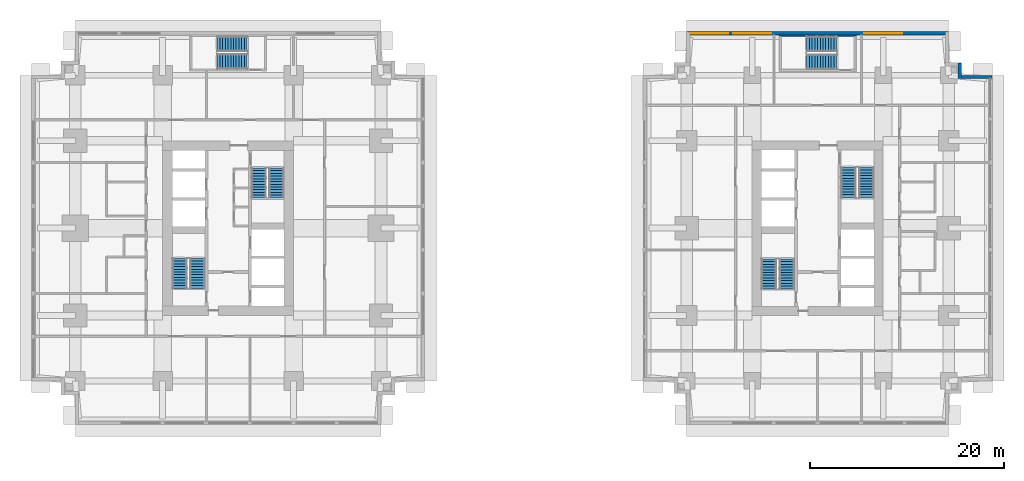
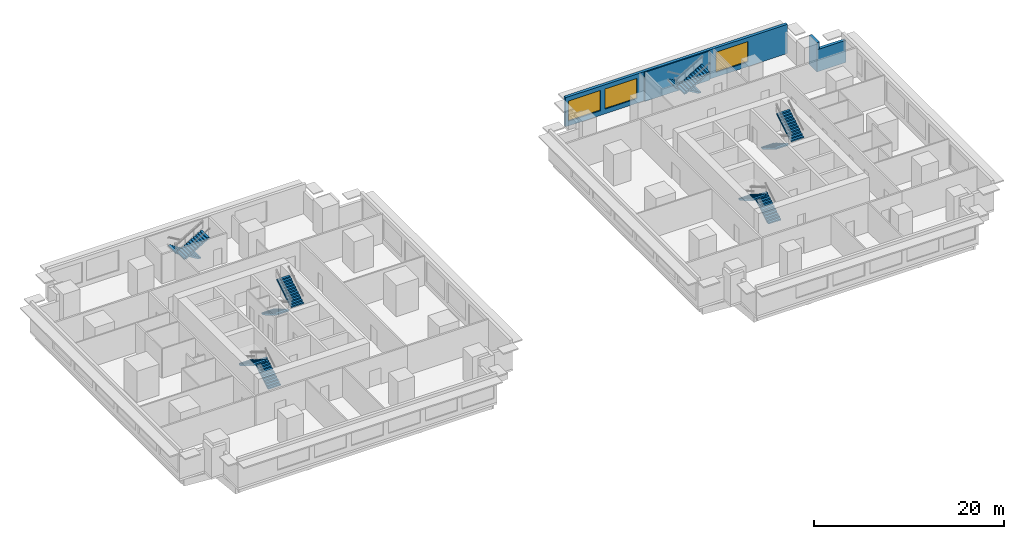
# One storey, part 8 of 11: 12 stair flights, 4 walls, 3 windows, 3 openings, 6 elements without a shape of their own.
"""IFC4 building model written with IfcOpenShell, lengths in metres."""

import ifcopenshell
import ifcopenshell.guid

model = None  # the IFC model being written
_history = None  # IfcOwnerHistory: only IFC2X3 demands one
_inside = {}  # id of a spatial element -> (the spatial element, [elements in it])
_under = {}  # id of a project, library or spatial element -> (it, [spatial elements below it])
_declared = {}  # id of a project -> (the project, [libraries it declares])
_typed = {}  # id of a type object -> (the type object, [elements of that type])
_made_of = {}  # id of a material, layer set ... -> (it, [elements and type objects made of it])


def new_model(schema):
    """Start an empty IFC model of exactly this schema.

    Asked for "IFC4X3", IfcOpenShell would pick the latest addendum, in which some entities
    have other attributes; the version numbers below select the first issue.
    IFC2X3 requires an IfcOwnerHistory on every rooted entity: one is made here for all.
    """
    global model, _history
    if schema == "IFC4X3":
        model = ifcopenshell.file(schema_version=(4, 3, 0, 0))
    else:
        model = ifcopenshell.file(schema=schema)
    _inside.clear()
    _under.clear()
    _declared.clear()
    _typed.clear()
    _made_of.clear()
    _history = None
    if model.schema == "IFC2X3":
        org = make("IfcOrganization", Name="unknown")
        user = make(
            "IfcPersonAndOrganization",
            ThePerson=make("IfcPerson", FamilyName="unknown"),
            TheOrganization=org,
        )
        app = make(
            "IfcApplication",
            ApplicationDeveloper=org,
            Version="unknown",
            ApplicationFullName="unknown",
            ApplicationIdentifier="unknown",
        )
        _history = make(
            "IfcOwnerHistory",
            OwningUser=user,
            OwningApplication=app,
            ChangeAction="ADDED",
            CreationDate=0,
        )
    return model


def make(cls, **values):
    """One entity of the class cls with the attributes given. An attribute that is None is left unset."""
    return model.create_entity(
        cls, **{name: value for name, value in values.items() if value is not None}
    )


def rooted(cls, **values):
    """An entity with a GlobalId (a new one), such as an element, a storey or a relation."""
    return make(cls, GlobalId=ifcopenshell.guid.new(), OwnerHistory=_history, **values)


def si_unit(unit_type, name, prefix=None):
    """IfcSIUnit, for example si_unit("LENGTHUNIT", "METRE", prefix="MILLI")."""
    return make("IfcSIUnit", UnitType=unit_type, Prefix=prefix, Name=name)


def assignment(units):
    """IfcUnitAssignment: the units of a project."""
    return None if units is None else make("IfcUnitAssignment", Units=units)


def point(xyz):
    """IfcCartesianPoint."""
    return None if xyz is None else make("IfcCartesianPoint", Coordinates=xyz)


def direction(xyz):
    """IfcDirection."""
    return None if xyz is None else make("IfcDirection", DirectionRatios=xyz)


def frame(location, z_axis=None, x_axis=None):
    """IfcAxis2Placement3D, a coordinate frame: its origin and axes. An axis left out is left unset."""
    return make(
        "IfcAxis2Placement3D",
        Location=point(location),
        Axis=direction(z_axis),
        RefDirection=direction(x_axis),
    )


def frame_2d(location, x_axis=None):
    """IfcAxis2Placement2D, a coordinate frame in the plane: its origin and x axis."""
    return make(
        "IfcAxis2Placement2D", Location=point(location), RefDirection=direction(x_axis)
    )


def origin():
    """The frame at (0, 0, 0) with its axes left unset."""
    return frame((0.0, 0.0, 0.0))


def place(relative_to, where):
    """IfcLocalPlacement: puts the frame where relative to a parent placement (None: the world)."""
    return make(
        "IfcLocalPlacement", PlacementRelTo=relative_to, RelativePlacement=where
    )


def context(
    kind, dimensions, precision=None, world=None, true_north=None, identifier=None
):
    """IfcGeometricRepresentationContext, for example the 3D "Model" context."""
    return make(
        "IfcGeometricRepresentationContext",
        ContextIdentifier=identifier,
        ContextType=kind,
        CoordinateSpaceDimension=dimensions,
        Precision=precision,
        WorldCoordinateSystem=world,
        TrueNorth=true_north,
    )


def subcontext(parent, identifier, kind, view, scale=None):
    """IfcGeometricRepresentationSubContext, for example "Body" below "Model"."""
    return make(
        "IfcGeometricRepresentationSubContext",
        ContextIdentifier=identifier,
        ContextType=kind,
        ParentContext=parent,
        TargetScale=scale,
        TargetView=view,
    )


def project(units=None, contexts=None):
    """IfcProject with its units and contexts."""
    return rooted(
        "IfcProject",
        Name="project",
        RepresentationContexts=contexts,
        UnitsInContext=assignment(units),
    )


def spatial(cls, under=None, at=None, **own):
    """A site, building, storey or space (cls), placed at a placement, below another one or the project."""
    s = rooted(cls, ObjectPlacement=at, **own)
    if under is not None:
        _under.setdefault(under.id(), (under, []))[1].append(s)
    return s


def polyline(points):
    """IfcPolyline through the points."""
    return make("IfcPolyline", Points=[point(p) for p in points])


def profile(cls, at=None, kind="AREA", **sizes):
    """A parametric profile (cls). Its sizes go by their IFC names, for example OverallWidth=200.0."""
    return make(cls, ProfileType=kind, Position=at, **sizes)


def rectangle(**sizes):
    """IfcRectangleProfileDef."""
    return profile("IfcRectangleProfileDef", **sizes)


def outline(outer, holes=None, kind="AREA"):
    """IfcArbitraryClosedProfileDef: a profile drawn as a closed curve; with holes, ...WithVoids."""
    if holes is None:
        return make("IfcArbitraryClosedProfileDef", ProfileType=kind, OuterCurve=outer)
    return make(
        "IfcArbitraryProfileDefWithVoids",
        ProfileType=kind,
        OuterCurve=outer,
        InnerCurves=holes,
    )


def extrude(swept, where, along, depth):
    """IfcExtrudedAreaSolid: the profile swept, set in the frame where, extruded along a direction by depth."""
    return make(
        "IfcExtrudedAreaSolid",
        SweptArea=swept,
        Position=where,
        ExtrudedDirection=direction(along),
        Depth=depth,
    )


def shape(context_of_items, identifier, shape_type, items):
    """IfcShapeRepresentation: the items that make up one representation, for example the "Body"."""
    return make(
        "IfcShapeRepresentation",
        ContextOfItems=context_of_items,
        RepresentationIdentifier=identifier,
        RepresentationType=shape_type,
        Items=items,
    )


def material(Name=None, Category=None):
    """IfcMaterial."""
    return make("IfcMaterial", Name=Name, Category=Category)


def layer(
    of_material, thickness, ventilated=None, Name=None, Category=None, Priority=None
):
    """IfcMaterialLayer: one layer of a wall or slab, of a material (None: an air gap)."""
    return make(
        "IfcMaterialLayer",
        Material=of_material,
        LayerThickness=thickness,
        IsVentilated=ventilated,
        Name=Name,
        Category=Category,
        Priority=Priority,
    )


def layer_set(layers, Name=None):
    """IfcMaterialLayerSet."""
    return make("IfcMaterialLayerSet", MaterialLayers=layers, LayerSetName=Name)


def made_of(thing, what):
    """Note that an element or type object is made of a material, layer set ...; save() writes the relation."""
    if what is not None:
        _made_of.setdefault(what.id(), (what, []))[1].append(thing)
    return thing


def type_object(cls, material=None, **own):
    """A type object (cls), such as IfcWallType, which elements share."""
    return made_of(rooted(cls, **own), material)


def element(
    cls,
    number,
    at=None,
    inside=None,
    cuts=None,
    type_object=None,
    material=None,
    context=None,
    identifier="Body",
    shape_type=None,
    held_by="IfcProductDefinitionShape",
    body=None,
    shapes=None,
    **own,
):
    """One element of the class cls, such as IfcWall. Its Tag is "e" and its number.

    at: its placement. inside: the storey or other place that contains it. cuts: it is an
    opening in that element (IfcRelVoidsElement). A single representation is given by context,
    identifier, shape_type and body (its items); several are given by shapes. held_by: the class
    of the entity that holds the representations. save() writes the other relations.
    """
    e = rooted(cls, Tag="e%d" % number, ObjectPlacement=at, **own)
    if body is not None:
        shapes = [shape(context, identifier, shape_type, body)]
    if shapes is not None:
        e.Representation = make(held_by, Representations=shapes)
    if inside is not None:
        _inside.setdefault(inside.id(), (inside, []))[1].append(e)
    if cuts is not None:
        rooted(
            "IfcRelVoidsElement", RelatingBuildingElement=cuts, RelatedOpeningElement=e
        )
    if type_object is not None:
        _typed.setdefault(type_object.id(), (type_object, []))[1].append(e)
    return made_of(e, material)


def fill(opening, filler):
    """IfcRelFillsElement: the door or window that sits in an opening."""
    return rooted(
        "IfcRelFillsElement",
        RelatingOpeningElement=opening,
        RelatedBuildingElement=filler,
    )


def aggregate(whole, parts):
    """IfcRelAggregates: a whole, such as a stair, and the parts it consists of."""
    return rooted("IfcRelAggregates", RelatingObject=whole, RelatedObjects=parts)


def save(model, path):
    """Write the relations noted so far, then the file.

    IfcRelAggregates (storeys below a building ...), IfcRelContainedInSpatialStructure (elements
    in a storey), IfcRelDefinesByType, IfcRelAssociatesMaterial and IfcRelDeclares: one each for
    every whole, place, type object, material and project.
    """
    for whole, parts in _under.values():
        aggregate(whole, parts)
    for where, things in _inside.values():
        rooted(
            "IfcRelContainedInSpatialStructure",
            RelatedElements=things,
            RelatingStructure=where,
        )
    for kind, things in _typed.values():
        rooted("IfcRelDefinesByType", RelatedObjects=things, RelatingType=kind)
    for what, things in _made_of.values():
        rooted("IfcRelAssociatesMaterial", RelatedObjects=things, RelatingMaterial=what)
    for by, libraries in _declared.values():
        rooted("IfcRelDeclares", RelatingContext=by, RelatedDefinitions=libraries)
    model.write(path)


model = new_model("IFC4")

# Units and contexts
model_context = context("Model", 3, precision=1e-05, world=origin(), true_north=direction((0.0, 1.0)))
body_context = subcontext(model_context, "Body", "Model", "MODEL_VIEW")
ifc_project = project(units=[si_unit("LENGTHUNIT", "METRE"), si_unit("AREAUNIT", "SQUARE_METRE"), si_unit("VOLUMEUNIT", "CUBIC_METRE"), si_unit("PLANEANGLEUNIT", "RADIAN"), si_unit("MASSUNIT", "GRAM", prefix="KILO")], contexts=[model_context])

# Site, building, storey
site_placement = place(None, origin())
site = spatial("IfcSite", under=ifc_project, at=site_placement, CompositionType="ELEMENT")
building_placement = place(site_placement, origin())
building = spatial("IfcBuilding", under=site, at=building_placement, Name="Namib Vertical Campus", CompositionType="ELEMENT")
storey_placement = place(building_placement, frame((0.0, 0.0, 65.0)))
storey = spatial("IfcBuildingStorey", under=building, at=storey_placement, Name="L15", CompositionType="ELEMENT", Elevation=65.0)

# Walls
ifc_material_1 = material(Name="Concrete C40/50", Category="concrete")
ifc_layer_1 = layer(ifc_material_1, 0.35009765625)
ifc_layer_set_1 = layer_set([ifc_layer_1], Name="Concrete C40/50")
wall_type_1 = type_object("IfcWallType", Name="External wall 350 bush-hammered concrete", PredefinedType="STANDARD", material=ifc_layer_set_1)
wall_1_placement = place(storey_placement, frame((98.97998046875, 35.824951171875, 0.0), z_axis=(0.0, 0.0, 1.0), x_axis=(-1.0, 0.0, 0.0)))
element("IfcWall", 1, at=wall_1_placement, inside=storey, type_object=wall_type_1, Name="External wall L15 F07", PredefinedType="STANDARD", context=body_context, shape_type="SweptSolid", body=[
    extrude(rectangle(XDim=3.510009765625, YDim=0.35009765625, at=frame_2d((1.7548828125, 0.0))), origin(), (0.0, 0.0, 1.0), 2.85009765625),
])
wall_2_placement = place(storey_placement, frame((95.625, 35.669921875, 0.0), z_axis=(0.0, 0.0, 1.0), x_axis=(0.0, 1.0, 0.0)))
element("IfcWall", 2, at=wall_2_placement, inside=storey, type_object=wall_type_1, Name="External wall L15 F08", PredefinedType="STANDARD", context=body_context, shape_type="SweptSolid", body=[
    extrude(rectangle(XDim=1.610107421875, YDim=0.35009765625, at=frame_2d((0.80517578125, 0.0))), origin(), (0.0, 0.0, 1.0), 3.75),
])

# Wall, openings, windows
wall_3_placement = place(storey_placement, frame((94.47998046875, 40.324951171875, 0.0), z_axis=(0.0, 0.0, 1.0), x_axis=(-1.0, 0.0, 0.0)))
wall_3 = element("IfcWall", 3, at=wall_3_placement, inside=storey, type_object=wall_type_1, Name="External wall L15 F11", PredefinedType="STANDARD", context=body_context, shape_type="SweptSolid", body=[
    extrude(rectangle(XDim=26.9599609375, YDim=0.35009765625, at=frame_2d((13.47998046875, 0.0))), origin(), (0.0, 0.0, 1.0), 3.75),
])
opening_1_placement = place(wall_3_placement, frame((22.7099609375, 0.0, 0.60009765625)))
opening_1 = element("IfcOpeningElement", 4, at=opening_1_placement, cuts=wall_3, Name="Opening W2", PredefinedType="OPENING", context=body_context, shape_type="SweptSolid", body=[
    extrude(rectangle(XDim=3.89990234375, YDim=2.60009765625, at=frame_2d((1.949951171875, 1.300048828125))), frame((0.0, 0.18505859375, 0.0), z_axis=(0.0, -1.0, 0.0), x_axis=(1.0, 0.0, 0.0)), (0.0, 0.0, 1.0), 0.3701171875),
])
opening_2_placement = place(wall_3_placement, frame((18.280029296875, 0.0, 0.60009765625)))
opening_2 = element("IfcOpeningElement", 5, at=opening_2_placement, cuts=wall_3, Name="Opening W2", PredefinedType="OPENING", context=body_context, shape_type="SweptSolid", body=[
    extrude(rectangle(XDim=3.89990234375, YDim=2.60009765625, at=frame_2d((1.949951171875, 1.300048828125))), frame((0.0, 0.18505859375, 0.0), z_axis=(0.0, -1.0, 0.0), x_axis=(1.0, 0.0, 0.0)), (0.0, 0.0, 1.0), 0.3701171875),
])
opening_3_placement = place(wall_3_placement, frame((4.780029296875, 0.0, 0.60009765625)))
opening_3 = element("IfcOpeningElement", 6, at=opening_3_placement, cuts=wall_3, Name="Opening W2", PredefinedType="OPENING", context=body_context, shape_type="SweptSolid", body=[
    extrude(rectangle(XDim=3.89990234375, YDim=2.60009765625, at=frame_2d((1.949951171875, 1.300048828125))), frame((0.0, 0.18505859375, 0.0), z_axis=(0.0, -1.0, 0.0), x_axis=(1.0, 0.0, 0.0)), (0.0, 0.0, 1.0), 0.3701171875),
])
ifc_material_2 = material(Name="Dark tinted glass in black aluminium frame", Category="aluminium")
window_type = type_object("IfcWindowType", Name="Ribbon window 3900x2600", PartitioningType="SINGLE_PANEL", PredefinedType="WINDOW", material=ifc_material_2)
window_1_placement = place(opening_1_placement, origin())
window_1 = element("IfcWindow", 7, at=window_1_placement, inside=storey, type_object=window_type, Name="Window W2 L15 F11-1", OverallHeight=2.60009765625, OverallWidth=3.89990234375, PartitioningType="SINGLE_PANEL", PredefinedType="WINDOW", context=body_context, shape_type="SweptSolid", body=[
    extrude(rectangle(XDim=3.89990234375, YDim=2.60009765625, at=frame_2d((1.949951171875, 1.300048828125))), frame((0.0, 0.030029296875, 0.0), z_axis=(0.0, -1.0, 0.0), x_axis=(1.0, 0.0, 0.0)), (0.0, 0.0, 1.0), 0.06005859375),
])
fill(opening_1, window_1)
window_2_placement = place(opening_2_placement, origin())
window_2 = element("IfcWindow", 8, at=window_2_placement, inside=storey, type_object=window_type, Name="Window W2 L15 F11-2", OverallHeight=2.60009765625, OverallWidth=3.89990234375, PartitioningType="SINGLE_PANEL", PredefinedType="WINDOW", context=body_context, shape_type="SweptSolid", body=[
    extrude(rectangle(XDim=3.89990234375, YDim=2.60009765625, at=frame_2d((1.949951171875, 1.300048828125))), frame((0.0, 0.030029296875, 0.0), z_axis=(0.0, -1.0, 0.0), x_axis=(1.0, 0.0, 0.0)), (0.0, 0.0, 1.0), 0.06005859375),
])
fill(opening_2, window_2)
window_3_placement = place(opening_3_placement, origin())
window_3 = element("IfcWindow", 9, at=window_3_placement, inside=storey, type_object=window_type, Name="Window W2 L15 F11-5", OverallHeight=2.60009765625, OverallWidth=3.89990234375, PartitioningType="SINGLE_PANEL", PredefinedType="WINDOW", context=body_context, shape_type="SweptSolid", body=[
    extrude(rectangle(XDim=3.89990234375, YDim=2.60009765625, at=frame_2d((1.949951171875, 1.300048828125))), frame((0.0, 0.030029296875, 0.0), z_axis=(0.0, -1.0, 0.0), x_axis=(1.0, 0.0, 0.0)), (0.0, 0.0, 1.0), 0.06005859375),
])
fill(opening_3, window_3)

# Wall
ifc_material_3 = material(Name="Concrete C40/50", Category="concrete")
ifc_layer_2 = layer(ifc_material_3, 0.14990234375)
ifc_layer_set_2 = layer_set([ifc_layer_2], Name="Concrete C40/50")
wall_type_2 = type_object("IfcWallType", Name="Stair enclosure wall RC 150", PredefinedType="SOLIDWALL", material=ifc_layer_set_2)
wall_4_placement = place(storey_placement, frame((77.050048828125, 40.074951171875, 0.0), z_axis=(0.0, 0.0, 1.0), x_axis=(1.0, 0.0, 0.0)))
element("IfcWall", 10, at=wall_4_placement, inside=storey, type_object=wall_type_2, Name="Stair enclosure wall B-S3 L15 N", PredefinedType="SOLIDWALL", context=body_context, shape_type="SweptSolid", body=[
    extrude(rectangle(XDim=7.89990234375, YDim=0.14990234375, at=frame_2d((3.949951171875, 0.0))), origin(), (0.0, 0.0, 1.0), 3.75),
])

# Stair, stair flights
ifc_material_4 = material(Name="Concrete C40/50 precast", Category="concrete")
stair_type_1 = type_object("IfcStairType", Name="Exit stair 4000 rise 24 risers 3350 wide", PredefinedType="HALF_TURN_STAIR", material=ifc_material_4)
stair_1_placement = place(storey_placement, origin())
stair_1 = element("IfcStair", 11, at=stair_1_placement, inside=storey, type_object=stair_type_1, Name="Exit stair A-S1 L15", PredefinedType="HALF_TURN_STAIR")
ifc_material_5 = material(Name="Concrete C40/50 precast", Category="concrete")
stair_flight_type_1 = type_object("IfcStairFlightType", Name="Stair flight 12 risers 167 1525 wide", PredefinedType="STRAIGHT", material=ifc_material_5)
stair_flight_1_placement = place(storey_placement, frame((17.08740234375, 14.050048828125, 0.0), z_axis=(0.0, 0.0, 1.0), x_axis=(0.0, 1.0, 0.0)))
stair_flight_1 = element("IfcStairFlight", 12, at=stair_flight_1_placement, type_object=stair_flight_type_1, Name="A-S1 flight 1", NumberOfRisers=12, NumberOfTreads=11, PredefinedType="STRAIGHT", RiserHeight=0.166666667, TreadLength=0.28, context=body_context, shape_type="SweptSolid", body=[
    extrude(outline(polyline([(0.0, 0.0), (0.0, 0.166748046875), (0.280029296875, 0.166748046875), (0.280029296875, 0.333251953125), (0.56005859375, 0.333251953125), (0.56005859375, 0.5), (0.840087890625, 0.5), (0.840087890625, 0.666748046875), (1.1201171875, 0.666748046875), (1.1201171875, 0.833251953125), (1.39990234375, 0.833251953125), (1.39990234375, 1.0), (1.679931640625, 1.0), (1.679931640625, 1.166748046875), (1.9599609375, 1.166748046875), (1.9599609375, 1.333251953125), (2.239990234375, 1.333251953125), (2.239990234375, 1.5), (2.52001953125, 1.5), (2.52001953125, 1.666748046875), (2.800048828125, 1.666748046875), (2.800048828125, 1.833251953125), (3.080078125, 1.833251953125), (3.080078125, 2.0), (3.080078125, 1.658935546875), (0.29296875, 0.0), (0.0, 0.0)])), frame((0.0, 0.762451171875, 0.0), z_axis=(0.0, -1.0, 0.0), x_axis=(1.0, 0.0, 0.0)), (0.0, 0.0, 1.0), 1.52490234375),
])
stair_flight_2_placement = place(storey_placement, frame((15.262451171875, 17.1298828125, 2.0), z_axis=(0.0, 0.0, 1.0), x_axis=(0.0, -1.0, 0.0)))
stair_flight_2 = element("IfcStairFlight", 13, at=stair_flight_2_placement, type_object=stair_flight_type_1, Name="A-S1 flight 2", NumberOfRisers=12, NumberOfTreads=11, PredefinedType="STRAIGHT", RiserHeight=0.166666667, TreadLength=0.28, context=body_context, shape_type="SweptSolid", body=[
    extrude(outline(polyline([(0.0, 0.0), (0.0, 0.166748046875), (0.280029296875, 0.166748046875), (0.280029296875, 0.333251953125), (0.56005859375, 0.333251953125), (0.56005859375, 0.5), (0.840087890625, 0.5), (0.840087890625, 0.666748046875), (1.1201171875, 0.666748046875), (1.1201171875, 0.833251953125), (1.39990234375, 0.833251953125), (1.39990234375, 1.0), (1.679931640625, 1.0), (1.679931640625, 1.166748046875), (1.9599609375, 1.166748046875), (1.9599609375, 1.333251953125), (2.239990234375, 1.333251953125), (2.239990234375, 1.5), (2.52001953125, 1.5), (2.52001953125, 1.666748046875), (2.800048828125, 1.666748046875), (2.800048828125, 1.833251953125), (3.080078125, 1.833251953125), (3.080078125, 2.0), (3.080078125, 1.658935546875), (0.29296875, 0.0), (0.0, 0.0)])), frame((0.0, 0.762451171875, 0.0), z_axis=(0.0, -1.0, 0.0), x_axis=(1.0, 0.0, 0.0)), (0.0, 0.0, 1.0), 1.52490234375),
])
aggregate(stair_1, [stair_flight_1, stair_flight_2])

stair_2_placement = place(storey_placement, origin())
stair_2 = element("IfcStair", 14, at=stair_2_placement, inside=storey, type_object=stair_type_1, Name="Exit stair A-S2 L15", PredefinedType="HALF_TURN_STAIR")
stair_flight_3_placement = place(storey_placement, frame((23.41259765625, 26.449951171875, 0.0), z_axis=(0.0, 0.0, 1.0), x_axis=(0.0, -1.0, 0.0)))
stair_flight_3 = element("IfcStairFlight", 15, at=stair_flight_3_placement, type_object=stair_flight_type_1, Name="A-S2 flight 1", NumberOfRisers=12, NumberOfTreads=11, PredefinedType="STRAIGHT", RiserHeight=0.166666667, TreadLength=0.28, context=body_context, shape_type="SweptSolid", body=[
    extrude(outline(polyline([(0.0, 0.0), (0.0, 0.166748046875), (0.280029296875, 0.166748046875), (0.280029296875, 0.333251953125), (0.56005859375, 0.333251953125), (0.56005859375, 0.5), (0.840087890625, 0.5), (0.840087890625, 0.666748046875), (1.1201171875, 0.666748046875), (1.1201171875, 0.833251953125), (1.39990234375, 0.833251953125), (1.39990234375, 1.0), (1.679931640625, 1.0), (1.679931640625, 1.166748046875), (1.9599609375, 1.166748046875), (1.9599609375, 1.333251953125), (2.239990234375, 1.333251953125), (2.239990234375, 1.5), (2.52001953125, 1.5), (2.52001953125, 1.666748046875), (2.800048828125, 1.666748046875), (2.800048828125, 1.833251953125), (3.080078125, 1.833251953125), (3.080078125, 2.0), (3.080078125, 1.658935546875), (0.29296875, 0.0), (0.0, 0.0)])), frame((0.0, 0.762451171875, 0.0), z_axis=(0.0, -1.0, 0.0), x_axis=(1.0, 0.0, 0.0)), (0.0, 0.0, 1.0), 1.52490234375),
])
stair_flight_4_placement = place(storey_placement, frame((25.237548828125, 23.3701171875, 2.0), z_axis=(0.0, 0.0, 1.0), x_axis=(0.0, 1.0, 0.0)))
stair_flight_4 = element("IfcStairFlight", 16, at=stair_flight_4_placement, type_object=stair_flight_type_1, Name="A-S2 flight 2", NumberOfRisers=12, NumberOfTreads=11, PredefinedType="STRAIGHT", RiserHeight=0.166666667, TreadLength=0.28, context=body_context, shape_type="SweptSolid", body=[
    extrude(outline(polyline([(0.0, 0.0), (0.0, 0.166748046875), (0.280029296875, 0.166748046875), (0.280029296875, 0.333251953125), (0.56005859375, 0.333251953125), (0.56005859375, 0.5), (0.840087890625, 0.5), (0.840087890625, 0.666748046875), (1.1201171875, 0.666748046875), (1.1201171875, 0.833251953125), (1.39990234375, 0.833251953125), (1.39990234375, 1.0), (1.679931640625, 1.0), (1.679931640625, 1.166748046875), (1.9599609375, 1.166748046875), (1.9599609375, 1.333251953125), (2.239990234375, 1.333251953125), (2.239990234375, 1.5), (2.52001953125, 1.5), (2.52001953125, 1.666748046875), (2.800048828125, 1.666748046875), (2.800048828125, 1.833251953125), (3.080078125, 1.833251953125), (3.080078125, 2.0), (3.080078125, 1.658935546875), (0.29296875, 0.0), (0.0, 0.0)])), frame((0.0, 0.762451171875, 0.0), z_axis=(0.0, -1.0, 0.0), x_axis=(1.0, 0.0, 0.0)), (0.0, 0.0, 1.0), 1.52490234375),
])
aggregate(stair_2, [stair_flight_3, stair_flight_4])

stair_3_placement = place(storey_placement, origin())
stair_3 = element("IfcStair", 17, at=stair_3_placement, inside=storey, type_object=stair_type_1, Name="Exit stair A-S3 L15", PredefinedType="HALF_TURN_STAIR")
stair_flight_5_placement = place(storey_placement, frame((22.199951171875, 39.237548828125, 0.0), z_axis=(0.0, 0.0, 1.0), x_axis=(-1.0, 0.0, 0.0)))
stair_flight_5 = element("IfcStairFlight", 18, at=stair_flight_5_placement, type_object=stair_flight_type_1, Name="A-S3 flight 1", NumberOfRisers=12, NumberOfTreads=11, PredefinedType="STRAIGHT", RiserHeight=0.166666667, TreadLength=0.28, context=body_context, shape_type="SweptSolid", body=[
    extrude(outline(polyline([(0.0, 0.0), (0.0, 0.166748046875), (0.280029296875, 0.166748046875), (0.280029296875, 0.333251953125), (0.56005859375, 0.333251953125), (0.56005859375, 0.5), (0.840087890625, 0.5), (0.840087890625, 0.666748046875), (1.1201171875, 0.666748046875), (1.1201171875, 0.833251953125), (1.39990234375, 0.833251953125), (1.39990234375, 1.0), (1.679931640625, 1.0), (1.679931640625, 1.166748046875), (1.9599609375, 1.166748046875), (1.9599609375, 1.333251953125), (2.239990234375, 1.333251953125), (2.239990234375, 1.5), (2.52001953125, 1.5), (2.52001953125, 1.666748046875), (2.800048828125, 1.666748046875), (2.800048828125, 1.833251953125), (3.080078125, 1.833251953125), (3.080078125, 2.0), (3.080078125, 1.658935546875), (0.29296875, 0.0), (0.0, 0.0)])), frame((0.0, 0.762451171875, 0.0), z_axis=(0.0, -1.0, 0.0), x_axis=(1.0, 0.0, 0.0)), (0.0, 0.0, 1.0), 1.52490234375),
])
stair_flight_6_placement = place(storey_placement, frame((19.1201171875, 37.41259765625, 2.0), z_axis=(0.0, 0.0, 1.0), x_axis=(1.0, 0.0, 0.0)))
stair_flight_6 = element("IfcStairFlight", 19, at=stair_flight_6_placement, type_object=stair_flight_type_1, Name="A-S3 flight 2", NumberOfRisers=12, NumberOfTreads=11, PredefinedType="STRAIGHT", RiserHeight=0.166666667, TreadLength=0.28, context=body_context, shape_type="SweptSolid", body=[
    extrude(outline(polyline([(0.0, 0.0), (0.0, 0.166748046875), (0.280029296875, 0.166748046875), (0.280029296875, 0.333251953125), (0.56005859375, 0.333251953125), (0.56005859375, 0.5), (0.840087890625, 0.5), (0.840087890625, 0.666748046875), (1.1201171875, 0.666748046875), (1.1201171875, 0.833251953125), (1.39990234375, 0.833251953125), (1.39990234375, 1.0), (1.679931640625, 1.0), (1.679931640625, 1.166748046875), (1.9599609375, 1.166748046875), (1.9599609375, 1.333251953125), (2.239990234375, 1.333251953125), (2.239990234375, 1.5), (2.52001953125, 1.5), (2.52001953125, 1.666748046875), (2.800048828125, 1.666748046875), (2.800048828125, 1.833251953125), (3.080078125, 1.833251953125), (3.080078125, 2.0), (3.080078125, 1.658935546875), (0.29296875, 0.0), (0.0, 0.0)])), frame((0.0, 0.762451171875, 0.0), z_axis=(0.0, -1.0, 0.0), x_axis=(1.0, 0.0, 0.0)), (0.0, 0.0, 1.0), 1.52490234375),
])
aggregate(stair_3, [stair_flight_5, stair_flight_6])

ifc_material_6 = material(Name="Concrete C40/50 precast", Category="concrete")
stair_type_2 = type_object("IfcStairType", Name="Exit stair 4000 rise 24 risers 3400 wide", PredefinedType="HALF_TURN_STAIR", material=ifc_material_6)
stair_4_placement = place(storey_placement, origin())
stair_4 = element("IfcStair", 20, at=stair_4_placement, inside=storey, type_object=stair_type_2, Name="Exit stair B-S1 L15", PredefinedType="HALF_TURN_STAIR")
ifc_material_7 = material(Name="Concrete C40/50 precast", Category="concrete")
stair_flight_type_2 = type_object("IfcStairFlightType", Name="Stair flight 12 risers 167 1550 wide", PredefinedType="STRAIGHT", material=ifc_material_7)
stair_flight_7_placement = place(storey_placement, frame((77.824951171875, 14.0, 0.0), z_axis=(0.0, 0.0, 1.0), x_axis=(0.0, 1.0, 0.0)))
stair_flight_7 = element("IfcStairFlight", 21, at=stair_flight_7_placement, type_object=stair_flight_type_2, Name="B-S1 flight 1", NumberOfRisers=12, NumberOfTreads=11, PredefinedType="STRAIGHT", RiserHeight=0.166666667, TreadLength=0.28, context=body_context, shape_type="SweptSolid", body=[
    extrude(outline(polyline([(0.0, 0.0), (0.0, 0.166748046875), (0.280029296875, 0.166748046875), (0.280029296875, 0.333251953125), (0.56005859375, 0.333251953125), (0.56005859375, 0.5), (0.840087890625, 0.5), (0.840087890625, 0.666748046875), (1.1201171875, 0.666748046875), (1.1201171875, 0.833251953125), (1.39990234375, 0.833251953125), (1.39990234375, 1.0), (1.679931640625, 1.0), (1.679931640625, 1.166748046875), (1.9599609375, 1.166748046875), (1.9599609375, 1.333251953125), (2.239990234375, 1.333251953125), (2.239990234375, 1.5), (2.52001953125, 1.5), (2.52001953125, 1.666748046875), (2.800048828125, 1.666748046875), (2.800048828125, 1.833251953125), (3.080078125, 1.833251953125), (3.080078125, 2.0), (3.080078125, 1.658935546875), (0.29296875, 0.0), (0.0, 0.0)])), frame((0.0, 0.77490234375, 0.0), z_axis=(0.0, -1.0, 0.0), x_axis=(1.0, 0.0, 0.0)), (0.0, 0.0, 1.0), 1.550048828125),
])
stair_flight_8_placement = place(storey_placement, frame((75.97509765625, 17.080078125, 2.0), z_axis=(0.0, 0.0, 1.0), x_axis=(0.0, -1.0, 0.0)))
stair_flight_8 = element("IfcStairFlight", 22, at=stair_flight_8_placement, type_object=stair_flight_type_2, Name="B-S1 flight 2", NumberOfRisers=12, NumberOfTreads=11, PredefinedType="STRAIGHT", RiserHeight=0.166666667, TreadLength=0.28, context=body_context, shape_type="SweptSolid", body=[
    extrude(outline(polyline([(0.0, 0.0), (0.0, 0.166748046875), (0.280029296875, 0.166748046875), (0.280029296875, 0.333251953125), (0.56005859375, 0.333251953125), (0.56005859375, 0.5), (0.840087890625, 0.5), (0.840087890625, 0.666748046875), (1.1201171875, 0.666748046875), (1.1201171875, 0.833251953125), (1.39990234375, 0.833251953125), (1.39990234375, 1.0), (1.679931640625, 1.0), (1.679931640625, 1.166748046875), (1.9599609375, 1.166748046875), (1.9599609375, 1.333251953125), (2.239990234375, 1.333251953125), (2.239990234375, 1.5), (2.52001953125, 1.5), (2.52001953125, 1.666748046875), (2.800048828125, 1.666748046875), (2.800048828125, 1.833251953125), (3.080078125, 1.833251953125), (3.080078125, 2.0), (3.080078125, 1.658935546875), (0.29296875, 0.0), (0.0, 0.0)])), frame((0.0, 0.77490234375, 0.0), z_axis=(0.0, -1.0, 0.0), x_axis=(1.0, 0.0, 0.0)), (0.0, 0.0, 1.0), 1.550048828125),
])
aggregate(stair_4, [stair_flight_7, stair_flight_8])

stair_5_placement = place(storey_placement, origin())
stair_5 = element("IfcStair", 23, at=stair_5_placement, inside=storey, type_object=stair_type_2, Name="Exit stair B-S2 L15", PredefinedType="HALF_TURN_STAIR")
stair_flight_9_placement = place(storey_placement, frame((84.175048828125, 26.5, 0.0), z_axis=(0.0, 0.0, 1.0), x_axis=(0.0, -1.0, 0.0)))
stair_flight_9 = element("IfcStairFlight", 24, at=stair_flight_9_placement, type_object=stair_flight_type_2, Name="B-S2 flight 1", NumberOfRisers=12, NumberOfTreads=11, PredefinedType="STRAIGHT", RiserHeight=0.166666667, TreadLength=0.28, context=body_context, shape_type="SweptSolid", body=[
    extrude(outline(polyline([(0.0, 0.0), (0.0, 0.166748046875), (0.280029296875, 0.166748046875), (0.280029296875, 0.333251953125), (0.56005859375, 0.333251953125), (0.56005859375, 0.5), (0.840087890625, 0.5), (0.840087890625, 0.666748046875), (1.1201171875, 0.666748046875), (1.1201171875, 0.833251953125), (1.39990234375, 0.833251953125), (1.39990234375, 1.0), (1.679931640625, 1.0), (1.679931640625, 1.166748046875), (1.9599609375, 1.166748046875), (1.9599609375, 1.333251953125), (2.239990234375, 1.333251953125), (2.239990234375, 1.5), (2.52001953125, 1.5), (2.52001953125, 1.666748046875), (2.800048828125, 1.666748046875), (2.800048828125, 1.833251953125), (3.080078125, 1.833251953125), (3.080078125, 2.0), (3.080078125, 1.658935546875), (0.29296875, 0.0), (0.0, 0.0)])), frame((0.0, 0.77490234375, 0.0), z_axis=(0.0, -1.0, 0.0), x_axis=(1.0, 0.0, 0.0)), (0.0, 0.0, 1.0), 1.550048828125),
])
stair_flight_10_placement = place(storey_placement, frame((86.02490234375, 23.419921875, 2.0), z_axis=(0.0, 0.0, 1.0), x_axis=(0.0, 1.0, 0.0)))
stair_flight_10 = element("IfcStairFlight", 25, at=stair_flight_10_placement, type_object=stair_flight_type_2, Name="B-S2 flight 2", NumberOfRisers=12, NumberOfTreads=11, PredefinedType="STRAIGHT", RiserHeight=0.166666667, TreadLength=0.28, context=body_context, shape_type="SweptSolid", body=[
    extrude(outline(polyline([(0.0, 0.0), (0.0, 0.166748046875), (0.280029296875, 0.166748046875), (0.280029296875, 0.333251953125), (0.56005859375, 0.333251953125), (0.56005859375, 0.5), (0.840087890625, 0.5), (0.840087890625, 0.666748046875), (1.1201171875, 0.666748046875), (1.1201171875, 0.833251953125), (1.39990234375, 0.833251953125), (1.39990234375, 1.0), (1.679931640625, 1.0), (1.679931640625, 1.166748046875), (1.9599609375, 1.166748046875), (1.9599609375, 1.333251953125), (2.239990234375, 1.333251953125), (2.239990234375, 1.5), (2.52001953125, 1.5), (2.52001953125, 1.666748046875), (2.800048828125, 1.666748046875), (2.800048828125, 1.833251953125), (3.080078125, 1.833251953125), (3.080078125, 2.0), (3.080078125, 1.658935546875), (0.29296875, 0.0), (0.0, 0.0)])), frame((0.0, 0.77490234375, 0.0), z_axis=(0.0, -1.0, 0.0), x_axis=(1.0, 0.0, 0.0)), (0.0, 0.0, 1.0), 1.550048828125),
])
aggregate(stair_5, [stair_flight_9, stair_flight_10])

stair_6_placement = place(storey_placement, origin())
stair_6 = element("IfcStair", 26, at=stair_6_placement, inside=storey, type_object=stair_type_2, Name="Exit stair B-S3 L15", PredefinedType="HALF_TURN_STAIR")
stair_flight_11_placement = place(storey_placement, frame((82.949951171875, 39.22509765625, 0.0), z_axis=(0.0, 0.0, 1.0), x_axis=(-1.0, 0.0, 0.0)))
stair_flight_11 = element("IfcStairFlight", 27, at=stair_flight_11_placement, type_object=stair_flight_type_2, Name="B-S3 flight 1", NumberOfRisers=12, NumberOfTreads=11, PredefinedType="STRAIGHT", RiserHeight=0.166666667, TreadLength=0.28, context=body_context, shape_type="SweptSolid", body=[
    extrude(outline(polyline([(0.0, 0.0), (0.0, 0.166748046875), (0.280029296875, 0.166748046875), (0.280029296875, 0.333251953125), (0.56005859375, 0.333251953125), (0.56005859375, 0.5), (0.840087890625, 0.5), (0.840087890625, 0.666748046875), (1.1201171875, 0.666748046875), (1.1201171875, 0.833251953125), (1.39990234375, 0.833251953125), (1.39990234375, 1.0), (1.679931640625, 1.0), (1.679931640625, 1.166748046875), (1.9599609375, 1.166748046875), (1.9599609375, 1.333251953125), (2.239990234375, 1.333251953125), (2.239990234375, 1.5), (2.52001953125, 1.5), (2.52001953125, 1.666748046875), (2.800048828125, 1.666748046875), (2.800048828125, 1.833251953125), (3.080078125, 1.833251953125), (3.080078125, 2.0), (3.080078125, 1.658935546875), (0.29296875, 0.0), (0.0, 0.0)])), frame((0.0, 0.77490234375, 0.0), z_axis=(0.0, -1.0, 0.0), x_axis=(1.0, 0.0, 0.0)), (0.0, 0.0, 1.0), 1.550048828125),
])
stair_flight_12_placement = place(storey_placement, frame((79.8701171875, 37.375, 2.0), z_axis=(0.0, 0.0, 1.0), x_axis=(1.0, 0.0, 0.0)))
stair_flight_12 = element("IfcStairFlight", 28, at=stair_flight_12_placement, type_object=stair_flight_type_2, Name="B-S3 flight 2", NumberOfRisers=12, NumberOfTreads=11, PredefinedType="STRAIGHT", RiserHeight=0.166666667, TreadLength=0.28, context=body_context, shape_type="SweptSolid", body=[
    extrude(outline(polyline([(0.0, 0.0), (0.0, 0.166748046875), (0.280029296875, 0.166748046875), (0.280029296875, 0.333251953125), (0.56005859375, 0.333251953125), (0.56005859375, 0.5), (0.840087890625, 0.5), (0.840087890625, 0.666748046875), (1.1201171875, 0.666748046875), (1.1201171875, 0.833251953125), (1.39990234375, 0.833251953125), (1.39990234375, 1.0), (1.679931640625, 1.0), (1.679931640625, 1.166748046875), (1.9599609375, 1.166748046875), (1.9599609375, 1.333251953125), (2.239990234375, 1.333251953125), (2.239990234375, 1.5), (2.52001953125, 1.5), (2.52001953125, 1.666748046875), (2.800048828125, 1.666748046875), (2.800048828125, 1.833251953125), (3.080078125, 1.833251953125), (3.080078125, 2.0), (3.080078125, 1.658935546875), (0.29296875, 0.0), (0.0, 0.0)])), frame((0.0, 0.77490234375, 0.0), z_axis=(0.0, -1.0, 0.0), x_axis=(1.0, 0.0, 0.0)), (0.0, 0.0, 1.0), 1.550048828125),
])
aggregate(stair_6, [stair_flight_11, stair_flight_12])

save(model, "model.ifc")
